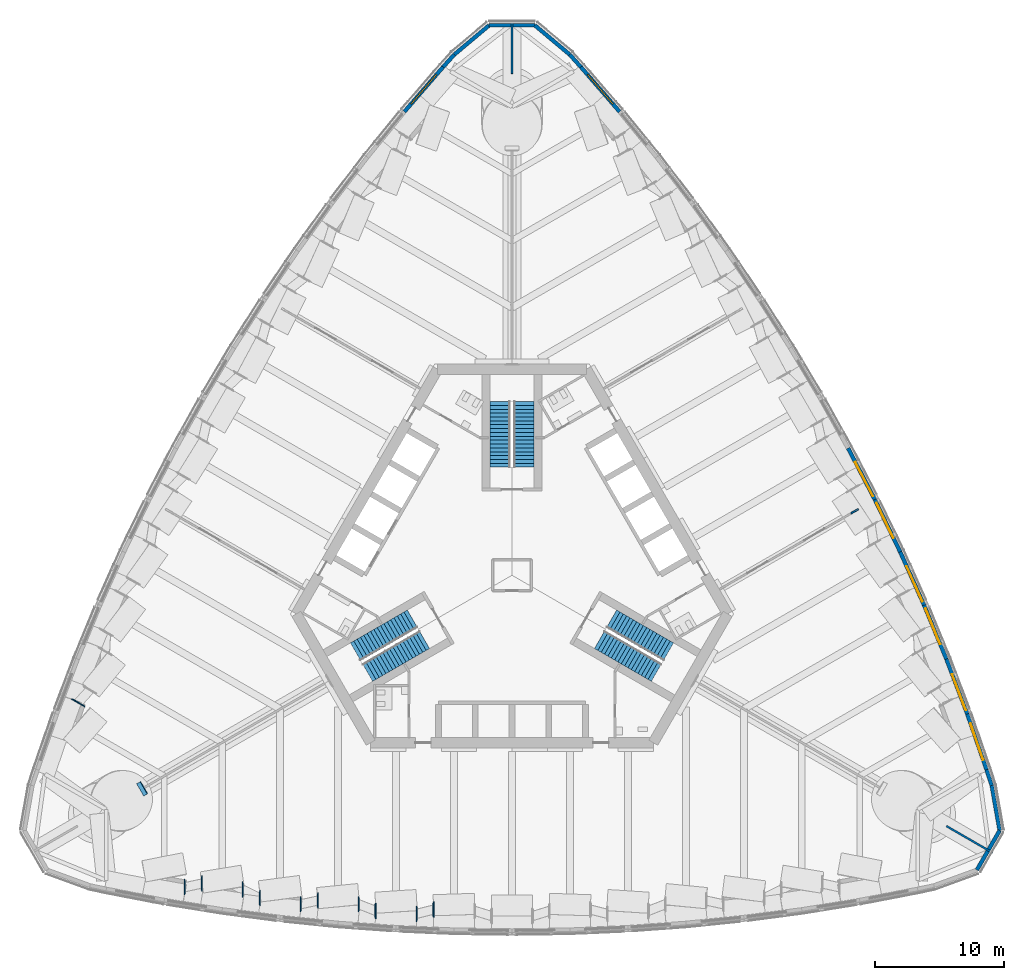
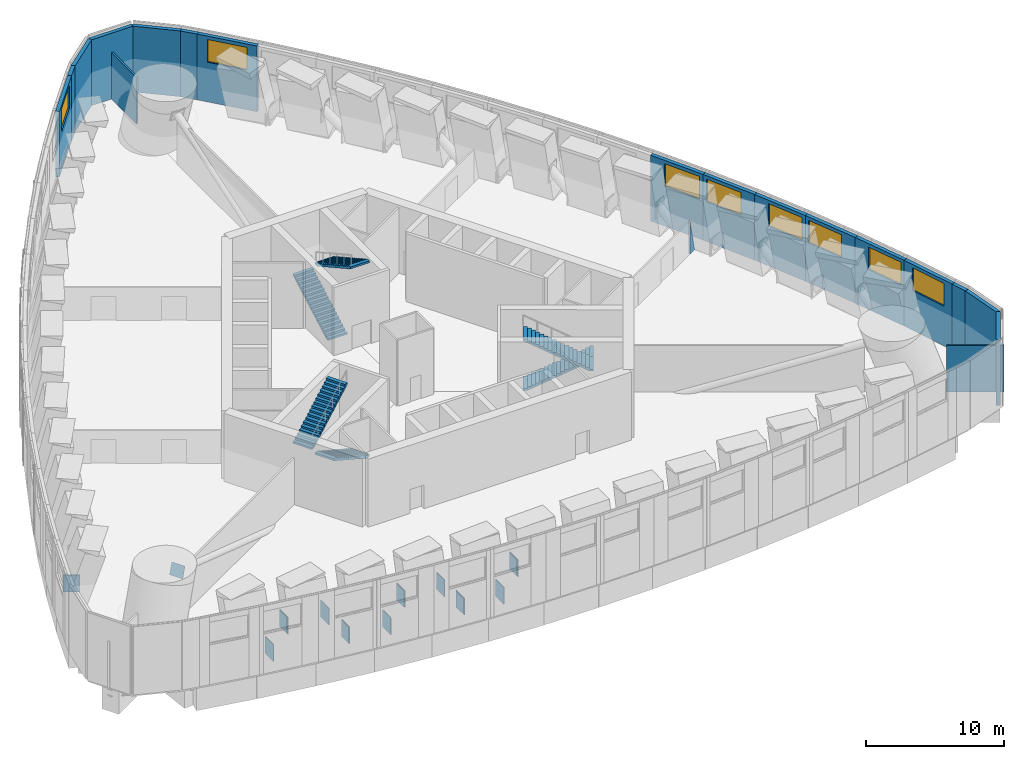
# One storey, part 11 of 28: 19 walls, 12 discrete accessories, 8 windows, 6 stair flights, 8 openings, 3 elements without a shape of their own.
"""IFC4 building model written with IfcOpenShell, lengths in metres."""

from ifc_helpers import new_model, si_unit, direction, frame, frame_2d, origin, origin_2d, place, context, subcontext, project, spatial, polyline, rectangle, outline, extrude, material, layer, layer_set, type_object, element, fill, aggregate, save


model = new_model("IFC4")

# Units and contexts
model_context = context("Model", 3, precision=1e-05, world=origin(), true_north=direction((0.0, 1.0)))
body_context = subcontext(model_context, "Body", "Model", "MODEL_VIEW")
ifc_project = project(units=[si_unit("LENGTHUNIT", "METRE"), si_unit("AREAUNIT", "SQUARE_METRE"), si_unit("VOLUMEUNIT", "CUBIC_METRE"), si_unit("PLANEANGLEUNIT", "RADIAN"), si_unit("MASSUNIT", "GRAM", prefix="KILO")], contexts=[model_context])

# Site, building, storey
site_placement = place(None, origin())
site = spatial("IfcSite", under=ifc_project, at=site_placement, CompositionType="ELEMENT")
building_placement = place(site_placement, origin())
building = spatial("IfcBuilding", under=site, at=building_placement, Name="Trefoil Bronze Tower", CompositionType="ELEMENT")
storey_placement = place(building_placement, frame((0.0, 0.0, 92.10009765625)))
storey = spatial("IfcBuildingStorey", under=building, at=storey_placement, Name="L21", CompositionType="ELEMENT", Elevation=92.10009765625)

# Walls
ifc_material_1 = material(Name="Concrete B80", Category="concrete")
ifc_layer_1 = layer(ifc_material_1, 0.300048828125)
ifc_layer_set_1 = layer_set([ifc_layer_1], Name="Belt wall 300")
wall_type_1 = type_object("IfcWallType", Name="Belt wall 300", PredefinedType="SOLIDWALL", material=ifc_layer_set_1)
for number, where, z_axis, x_axis, name in (
    (1, (36.09423828125, -22.885986328125, 0.0), (0.0, 0.0, 1.0), (0.499982733475, 0.866035372388, 0.0), "Belt wall T1.18"),
    (2, (37.866943359375, -19.8154296875, 0.0), (0.0, 0.0, 1.0), (-0.17365963216, 0.984805733207, 0.0), "Belt wall T1.19"),
):
    element("IfcWall", number, at=place(storey_placement, frame(where, z_axis=z_axis, x_axis=x_axis)), inside=storey, type_object=wall_type_1, Name=name, PredefinedType="SOLIDWALL", context=body_context, shape_type="SweptSolid", body=[
        extrude(rectangle(XDim=3.545654296875, YDim=0.300048828125, at=frame_2d((1.77294921875, 0.0))), origin(), (0.0, 0.0, 1.0), 5.7998046875),
    ])
wall_1_placement = place(storey_placement, frame((37.251220703125, -16.32373046875, 0.0), z_axis=(0.0, 0.0, 1.0), x_axis=(-0.309693449929, 0.950836456532, 0.0)))
element("IfcWall", 3, at=wall_1_placement, inside=storey, type_object=wall_type_1, Name="Belt wall T1.20", PredefinedType="SOLIDWALL", context=body_context, shape_type="SweptSolid", body=[
    extrude(rectangle(XDim=1.29052734375, YDim=0.300048828125, at=frame_2d((0.645263671875, 0.0))), origin(), (0.0, 0.0, 1.0), 5.7998046875),
])

# Wall, opening, window
wall_2_placement = place(storey_placement, frame((36.8515625, -15.0966796875, 0.0), z_axis=(0.0, 0.0, 1.0), x_axis=(-0.327681468309, 0.94478825952, 0.0)))
wall_2 = element("IfcWall", 4, at=wall_2_placement, inside=storey, type_object=wall_type_1, Name="Belt wall T1.21", PredefinedType="SOLIDWALL", context=body_context, shape_type="SweptSolid", body=[
    extrude(rectangle(XDim=4.58203125, YDim=0.300048828125, at=frame_2d((2.291015625, 0.0))), origin(), (0.0, 0.0, 1.0), 5.7998046875),
])
opening_1_placement = place(wall_2_placement, frame((0.791015625, 0.0, 3.5)))
opening_1 = element("IfcOpeningElement", 5, at=opening_1_placement, cuts=wall_2, Name="Opening LV1", PredefinedType="OPENING", context=body_context, shape_type="SweptSolid", body=[
    extrude(rectangle(XDim=3.0, YDim=2.0, at=frame_2d((1.5, 1.0))), frame((0.0, 0.159912109375, 0.0), z_axis=(0.0, -1.0, 0.0), x_axis=(1.0, 0.0, 0.0)), (0.0, 0.0, 1.0), 0.320068359375),
])
ifc_material_2 = material(Name="Bronze-finish aluminium louvre", Category="aluminium")
window_type = type_object("IfcWindowType", Name="Plant louvre 3000", PartitioningType="SINGLE_PANEL", PredefinedType="USERDEFINED", material=ifc_material_2)
window_1_placement = place(opening_1_placement, origin())
window_1 = element("IfcWindow", 6, at=window_1_placement, inside=storey, type_object=window_type, Name="Plant louvre L21 F2.2.1", ObjectType="LOUVRE", OverallHeight=2.0, OverallWidth=3.0, PartitioningType="SINGLE_PANEL", PredefinedType="USERDEFINED", context=body_context, shape_type="SweptSolid", body=[
    extrude(rectangle(XDim=3.0, YDim=2.0, at=frame_2d((1.5, 1.0))), frame((0.0, 0.030029296875, 0.0), z_axis=(0.0, -1.0, 0.0), x_axis=(1.0, 0.0, 0.0)), (0.0, 0.0, 1.0), 0.06005859375),
])
fill(opening_1, window_1)

wall_3_placement = place(storey_placement, frame((35.35009765625, -10.767578125, 0.0), z_axis=(0.0, 0.0, 1.0), x_axis=(-0.355351603025, 0.93473270951, 0.0)))
wall_3 = element("IfcWall", 7, at=wall_3_placement, inside=storey, type_object=wall_type_1, Name="Belt wall T1.22", PredefinedType="SOLIDWALL", context=body_context, shape_type="SweptSolid", body=[
    extrude(rectangle(XDim=4.55859375, YDim=0.300048828125, at=frame_2d((2.279296875, 0.0))), origin(), (0.0, 0.0, 1.0), 5.7998046875),
])
opening_2_placement = place(wall_3_placement, frame((0.300048828125, 0.0, 3.5)))
opening_2 = element("IfcOpeningElement", 8, at=opening_2_placement, cuts=wall_3, Name="Opening LV1", PredefinedType="OPENING", context=body_context, shape_type="SweptSolid", body=[
    extrude(rectangle(XDim=3.0, YDim=2.0, at=frame_2d((1.5, 1.0))), frame((0.0, 0.159912109375, 0.0), z_axis=(0.0, -1.0, 0.0), x_axis=(1.0, 0.0, 0.0)), (0.0, 0.0, 1.0), 0.320068359375),
])
window_2_placement = place(opening_2_placement, origin())
window_2 = element("IfcWindow", 9, at=window_2_placement, inside=storey, type_object=window_type, Name="Plant louvre L21 F2.3.1", ObjectType="LOUVRE", OverallHeight=2.0, OverallWidth=3.0, PartitioningType="SINGLE_PANEL", PredefinedType="USERDEFINED", context=body_context, shape_type="SweptSolid", body=[
    extrude(rectangle(XDim=3.0, YDim=2.0, at=frame_2d((1.5, 1.0))), frame((0.0, 0.030029296875, 0.0), z_axis=(0.0, -1.0, 0.0), x_axis=(1.0, 0.0, 0.0)), (0.0, 0.0, 1.0), 0.06005859375),
])
fill(opening_2, window_2)

wall_4_placement = place(storey_placement, frame((33.730224609375, -6.506591796875, 0.0), z_axis=(0.0, 0.0, 1.0), x_axis=(-0.38265900014, 0.923889652292, 0.0)))
wall_4 = element("IfcWall", 10, at=wall_4_placement, inside=storey, type_object=wall_type_1, Name="Belt wall T1.23", PredefinedType="SOLIDWALL", context=body_context, shape_type="SweptSolid", body=[
    extrude(rectangle(XDim=4.538818359375, YDim=0.300048828125, at=frame_2d((2.26953125, 0.0))), origin(), (0.0, 0.0, 1.0), 5.7998046875),
])
opening_3_placement = place(wall_4_placement, frame((1.23876953125, 0.0, 3.5)))
opening_3 = element("IfcOpeningElement", 11, at=opening_3_placement, cuts=wall_4, Name="Opening LV1", PredefinedType="OPENING", context=body_context, shape_type="SweptSolid", body=[
    extrude(rectangle(XDim=3.0, YDim=2.0, at=frame_2d((1.5, 1.0))), frame((0.0, 0.159912109375, 0.0), z_axis=(0.0, -1.0, 0.0), x_axis=(1.0, 0.0, 0.0)), (0.0, 0.0, 1.0), 0.320068359375),
])
window_3_placement = place(opening_3_placement, origin())
window_3 = element("IfcWindow", 12, at=window_3_placement, inside=storey, type_object=window_type, Name="Plant louvre L21 F2.4.1", ObjectType="LOUVRE", OverallHeight=2.0, OverallWidth=3.0, PartitioningType="SINGLE_PANEL", PredefinedType="USERDEFINED", context=body_context, shape_type="SweptSolid", body=[
    extrude(rectangle(XDim=3.0, YDim=2.0, at=frame_2d((1.5, 1.0))), frame((0.0, 0.030029296875, 0.0), z_axis=(0.0, -1.0, 0.0), x_axis=(1.0, 0.0, 0.0)), (0.0, 0.0, 1.0), 0.06005859375),
])
fill(opening_3, window_3)

wall_5_placement = place(storey_placement, frame((31.993408203125, -2.313232421875, 0.0), z_axis=(0.0, 0.0, 1.0), x_axis=(-0.409430894151, 0.912341132973, 0.0)))
wall_5 = element("IfcWall", 13, at=wall_5_placement, inside=storey, type_object=wall_type_1, Name="Belt wall T1.24", PredefinedType="SOLIDWALL", context=body_context, shape_type="SweptSolid", body=[
    extrude(rectangle(XDim=4.5234375, YDim=0.300048828125, at=frame_2d((2.26171875, 0.0))), origin(), (0.0, 0.0, 1.0), 5.7998046875),
])
opening_4_placement = place(wall_5_placement, frame((0.300048828125, 0.0, 3.5)))
opening_4 = element("IfcOpeningElement", 14, at=opening_4_placement, cuts=wall_5, Name="Opening LV1", PredefinedType="OPENING", context=body_context, shape_type="SweptSolid", body=[
    extrude(rectangle(XDim=3.0, YDim=2.0, at=frame_2d((1.5, 1.0))), frame((0.0, 0.159912109375, 0.0), z_axis=(0.0, -1.0, 0.0), x_axis=(1.0, 0.0, 0.0)), (0.0, 0.0, 1.0), 0.320068359375),
])
window_4_placement = place(opening_4_placement, origin())
window_4 = element("IfcWindow", 15, at=window_4_placement, inside=storey, type_object=window_type, Name="Plant louvre L21 F2.5.1", ObjectType="LOUVRE", OverallHeight=2.0, OverallWidth=3.0, PartitioningType="SINGLE_PANEL", PredefinedType="USERDEFINED", context=body_context, shape_type="SweptSolid", body=[
    extrude(rectangle(XDim=3.0, YDim=2.0, at=frame_2d((1.5, 1.0))), frame((0.0, 0.030029296875, 0.0), z_axis=(0.0, -1.0, 0.0), x_axis=(1.0, 0.0, 0.0)), (0.0, 0.0, 1.0), 0.06005859375),
])
fill(opening_4, window_4)

wall_6_placement = place(storey_placement, frame((30.141357421875, 1.813720703125, 0.0), z_axis=(0.0, 0.0, 1.0), x_axis=(-0.435857917556, 0.900015486369, 0.0)))
wall_6 = element("IfcWall", 16, at=wall_6_placement, inside=storey, type_object=wall_type_1, Name="Belt wall T1.25", PredefinedType="SOLIDWALL", context=body_context, shape_type="SweptSolid", body=[
    extrude(rectangle(XDim=4.511962890625, YDim=0.300048828125, at=frame_2d((2.255859375, 0.0))), origin(), (0.0, 0.0, 1.0), 5.7998046875),
])
opening_5_placement = place(wall_6_placement, frame((1.2119140625, 0.0, 3.5)))
opening_5 = element("IfcOpeningElement", 17, at=opening_5_placement, cuts=wall_6, Name="Opening LV1", PredefinedType="OPENING", context=body_context, shape_type="SweptSolid", body=[
    extrude(rectangle(XDim=3.0, YDim=2.0, at=frame_2d((1.5, 1.0))), frame((0.0, 0.159912109375, 0.0), z_axis=(0.0, -1.0, 0.0), x_axis=(1.0, 0.0, 0.0)), (0.0, 0.0, 1.0), 0.320068359375),
])
window_5_placement = place(opening_5_placement, origin())
window_5 = element("IfcWindow", 18, at=window_5_placement, inside=storey, type_object=window_type, Name="Plant louvre L21 F2.6.1", ObjectType="LOUVRE", OverallHeight=2.0, OverallWidth=3.0, PartitioningType="SINGLE_PANEL", PredefinedType="USERDEFINED", context=body_context, shape_type="SweptSolid", body=[
    extrude(rectangle(XDim=3.0, YDim=2.0, at=frame_2d((1.5, 1.0))), frame((0.0, 0.030029296875, 0.0), z_axis=(0.0, -1.0, 0.0), x_axis=(1.0, 0.0, 0.0)), (0.0, 0.0, 1.0), 0.06005859375),
])
fill(opening_5, window_5)

wall_7_placement = place(storey_placement, frame((28.1748046875, 5.87451171875, 0.0), z_axis=(0.0, 0.0, 1.0), x_axis=(-0.461810056307, 0.886978845235, 0.0)))
wall_7 = element("IfcWall", 19, at=wall_7_placement, inside=storey, type_object=wall_type_1, Name="Belt wall T1.26", PredefinedType="SOLIDWALL", context=body_context, shape_type="SweptSolid", body=[
    extrude(rectangle(XDim=4.504150390625, YDim=0.300048828125, at=frame_2d((2.251953125, 0.0))), origin(), (0.0, 0.0, 1.0), 5.7998046875),
])
opening_6_placement = place(wall_7_placement, frame((0.300048828125, 0.0, 3.5)))
opening_6 = element("IfcOpeningElement", 20, at=opening_6_placement, cuts=wall_7, Name="Opening LV1", PredefinedType="OPENING", context=body_context, shape_type="SweptSolid", body=[
    extrude(rectangle(XDim=3.0, YDim=2.0, at=frame_2d((1.5, 1.0))), frame((0.0, 0.159912109375, 0.0), z_axis=(0.0, -1.0, 0.0), x_axis=(1.0, 0.0, 0.0)), (0.0, 0.0, 1.0), 0.320068359375),
])
window_6_placement = place(opening_6_placement, origin())
window_6 = element("IfcWindow", 21, at=window_6_placement, inside=storey, type_object=window_type, Name="Plant louvre L21 F2.7.1", ObjectType="LOUVRE", OverallHeight=2.0, OverallWidth=3.0, PartitioningType="SINGLE_PANEL", PredefinedType="USERDEFINED", context=body_context, shape_type="SweptSolid", body=[
    extrude(rectangle(XDim=3.0, YDim=2.0, at=frame_2d((1.5, 1.0))), frame((0.0, 0.030029296875, 0.0), z_axis=(0.0, -1.0, 0.0), x_axis=(1.0, 0.0, 0.0)), (0.0, 0.0, 1.0), 0.06005859375),
])
fill(opening_6, window_6)

wall_8_placement = place(storey_placement, frame((8.35009765625, 35.997802734375, 0.0), z_axis=(0.0, 0.0, 1.0), x_axis=(-0.654364441553, 0.756179329016, 0.0)))
wall_8 = element("IfcWall", 22, at=wall_8_placement, inside=storey, type_object=wall_type_1, Name="Belt wall T1.34", PredefinedType="SOLIDWALL", context=body_context, shape_type="SweptSolid", body=[
    extrude(rectangle(XDim=4.582275390625, YDim=0.300048828125, at=frame_2d((2.291015625, 0.0))), origin(), (0.0, 0.0, 1.0), 5.7998046875),
])
opening_7_placement = place(wall_8_placement, frame((0.791015625, 0.0, 3.5)))
opening_7 = element("IfcOpeningElement", 23, at=opening_7_placement, cuts=wall_8, Name="Opening LV1", PredefinedType="OPENING", context=body_context, shape_type="SweptSolid", body=[
    extrude(rectangle(XDim=3.0, YDim=2.0, at=frame_2d((1.5, 1.0))), frame((0.0, 0.159912109375, 0.0), z_axis=(0.0, -1.0, 0.0), x_axis=(1.0, 0.0, 0.0)), (0.0, 0.0, 1.0), 0.320068359375),
])
window_7_placement = place(opening_7_placement, origin())
window_7 = element("IfcWindow", 24, at=window_7_placement, inside=storey, type_object=window_type, Name="Plant louvre L21 F2.15.1", ObjectType="LOUVRE", OverallHeight=2.0, OverallWidth=3.0, PartitioningType="SINGLE_PANEL", PredefinedType="USERDEFINED", context=body_context, shape_type="SweptSolid", body=[
    extrude(rectangle(XDim=3.0, YDim=2.0, at=frame_2d((1.5, 1.0))), frame((0.0, 0.030029296875, 0.0), z_axis=(0.0, -1.0, 0.0), x_axis=(1.0, 0.0, 0.0)), (0.0, 0.0, 1.0), 0.06005859375),
])
fill(opening_7, window_7)

# Walls
wall_9_placement = place(storey_placement, frame((5.3515625, 39.462890625, 0.0), z_axis=(0.0, 0.0, 1.0), x_axis=(-0.668546439873, 0.743670395896, 0.0)))
element("IfcWall", 25, at=wall_9_placement, inside=storey, type_object=wall_type_1, Name="Belt wall T1.35", PredefinedType="SOLIDWALL", context=body_context, shape_type="SweptSolid", body=[
    extrude(rectangle(XDim=1.290283203125, YDim=0.300048828125, at=frame_2d((0.64501953125, 0.0))), origin(), (0.0, 0.0, 1.0), 5.7998046875),
])
wall_10_placement = place(storey_placement, frame((4.489013671875, 40.42236328125, 0.0), z_axis=(0.0, 0.0, 1.0), x_axis=(-0.766072328399, 0.64275437584, 0.0)))
element("IfcWall", 26, at=wall_10_placement, inside=storey, type_object=wall_type_1, Name="Belt wall T1.36", PredefinedType="SOLIDWALL", context=body_context, shape_type="SweptSolid", body=[
    extrude(rectangle(XDim=3.545654296875, YDim=0.300048828125, at=frame_2d((1.77294921875, 0.0))), origin(), (0.0, 0.0, 1.0), 5.7998046875),
])
wall_11_placement = place(storey_placement, frame((1.772705078125, 42.701416015625, 0.0), z_axis=(0.0, 0.0, 1.0), x_axis=(-1.0, 0.0, 0.0)))
element("IfcWall", 27, at=wall_11_placement, inside=storey, type_object=wall_type_1, Name="Belt wall T1.37", PredefinedType="SOLIDWALL", context=body_context, shape_type="SweptSolid", body=[
    extrude(rectangle(XDim=3.54541015625, YDim=0.300048828125, at=frame_2d((1.772705078125, 0.0))), origin(), (0.0, 0.0, 1.0), 5.7998046875),
])
wall_12_placement = place(storey_placement, frame((-1.772705078125, 42.701416015625, 0.0), z_axis=(0.0, 0.0, 1.0), x_axis=(-0.766072328399, -0.64275437584, 0.0)))
element("IfcWall", 28, at=wall_12_placement, inside=storey, type_object=wall_type_1, Name="Belt wall T1.38", PredefinedType="SOLIDWALL", context=body_context, shape_type="SweptSolid", body=[
    extrude(rectangle(XDim=3.545654296875, YDim=0.300048828125, at=frame_2d((1.77294921875, 0.0))), origin(), (0.0, 0.0, 1.0), 5.7998046875),
])
wall_13_placement = place(storey_placement, frame((-4.489013671875, 40.42236328125, 0.0), z_axis=(0.0, 0.0, 1.0), x_axis=(-0.668546439873, -0.743670395896, 0.0)))
element("IfcWall", 29, at=wall_13_placement, inside=storey, type_object=wall_type_1, Name="Belt wall T1.39", PredefinedType="SOLIDWALL", context=body_context, shape_type="SweptSolid", body=[
    extrude(rectangle(XDim=1.290283203125, YDim=0.300048828125, at=frame_2d((0.64501953125, 0.0))), origin(), (0.0, 0.0, 1.0), 5.7998046875),
])

# Wall, opening, window
wall_14_placement = place(storey_placement, frame((-5.3515625, 39.462890625, 0.0), z_axis=(0.0, 0.0, 1.0), x_axis=(-0.654364441553, -0.756179329016, 0.0)))
wall_14 = element("IfcWall", 30, at=wall_14_placement, inside=storey, type_object=wall_type_1, Name="Belt wall T1.40", PredefinedType="SOLIDWALL", context=body_context, shape_type="SweptSolid", body=[
    extrude(rectangle(XDim=4.582275390625, YDim=0.300048828125, at=frame_2d((2.291015625, 0.0))), origin(), (0.0, 0.0, 1.0), 5.7998046875),
])
opening_8_placement = place(wall_14_placement, frame((0.791015625, 0.0, 3.5)))
opening_8 = element("IfcOpeningElement", 31, at=opening_8_placement, cuts=wall_14, Name="Opening LV1", PredefinedType="OPENING", context=body_context, shape_type="SweptSolid", body=[
    extrude(rectangle(XDim=3.0, YDim=2.0, at=frame_2d((1.5, 1.0))), frame((0.0, 0.159912109375, 0.0), z_axis=(0.0, -1.0, 0.0), x_axis=(1.0, 0.0, 0.0)), (0.0, 0.0, 1.0), 0.320068359375),
])
window_8_placement = place(opening_8_placement, origin())
window_8 = element("IfcWindow", 32, at=window_8_placement, inside=storey, type_object=window_type, Name="Plant louvre L21 F3.2.1", ObjectType="LOUVRE", OverallHeight=2.0, OverallWidth=3.0, PartitioningType="SINGLE_PANEL", PredefinedType="USERDEFINED", context=body_context, shape_type="SweptSolid", body=[
    extrude(rectangle(XDim=3.0, YDim=2.0, at=frame_2d((1.5, 1.0))), frame((0.0, 0.030029296875, 0.0), z_axis=(0.0, -1.0, 0.0), x_axis=(1.0, 0.0, 0.0)), (0.0, 0.0, 1.0), 0.06005859375),
])
fill(opening_8, window_8)

# Walls
ifc_material_3 = material(Name="Glazed partition", Category="glass")
ifc_layer_2 = layer(ifc_material_3, 0.1201171875)
ifc_layer_set_2 = layer_set([ifc_layer_2], Name="Glazed partition 120")
wall_type_2 = type_object("IfcWallType", Name="Glazed partition 120", PredefinedType="PARTITIONING", material=ifc_layer_set_2)
wall_15_placement = place(storey_placement, frame((26.31640625, 4.801513671875, 0.0), z_axis=(0.0, 0.0, 1.0), x_axis=(0.866073599808, 0.499916512745, 0.0)))
element("IfcWall", 33, at=wall_15_placement, inside=storey, type_object=wall_type_2, Name="Partition F2 L21", PredefinedType="PARTITIONING", context=body_context, shape_type="SweptSolid", body=[
    extrude(outline(polyline([(0.0, 0.0), (0.6533203125, 0.0), (0.6533203125, 0.0498046875), (0.0, 2.89990234375), (0.0, 0.0)])), frame((0.0, 0.06005859375, 0.0), z_axis=(0.0, -1.0, 0.0), x_axis=(1.0, 0.0, 0.0)), (0.0, 0.0, 1.0), 0.1201171875),
])
ifc_material_4 = material(Name="Gypsum board on steel studs", Category="steel")
ifc_layer_3 = layer(ifc_material_4, 0.14990234375)
ifc_layer_set_3 = layer_set([ifc_layer_3], Name="Party wall 150")
wall_type_3 = type_object("IfcWallType", Name="Party wall 150", PredefinedType="PARTITIONING", material=ifc_layer_set_3)
for number, where, z_axis, x_axis, name in (
    (34, (33.731689453125, -19.47509765625, 0.0), (0.0, 0.0, 1.0), (0.866026440262, -0.499998204763, 0.0), "Party wall K1 L21"),
    (35, (0.0, 38.949951171875, 0.0), (0.0, 0.0, 1.0), (0.0, 1.0, 0.0), "Party wall K2 L21"),
):
    element("IfcWall", number, at=place(storey_placement, frame(where, z_axis=z_axis, x_axis=x_axis)), inside=storey, type_object=wall_type_3, Name=name, PredefinedType="PARTITIONING", context=body_context, shape_type="SweptSolid", body=[
        extrude(rectangle(XDim=4.1640625, YDim=0.14990234375, at=frame_2d((2.08203125, 0.0))), origin(), (0.0, 0.0, 1.0), 4.099853515625),
    ])

# Stair, stair flights
ifc_material_5 = material(Name="Precast concrete B80", Category="concrete")
stair_type = type_object("IfcStairType", Name="Exit stair 36 risers", PredefinedType="HALF_TURN_STAIR", material=ifc_material_5)
stair_1_placement = place(storey_placement, origin())
stair_1 = element("IfcStair", 36, at=stair_1_placement, inside=storey, type_object=stair_type, Name="Stair ST1 L21", PredefinedType="HALF_TURN_STAIR")
ifc_material_6 = material(Name="Precast concrete B80", Category="concrete")
stair_flight_type = type_object("IfcStairFlightType", Name="Stair flight 1600", PredefinedType="STRAIGHT", material=ifc_material_6)
stair_flight_1_placement = place(storey_placement, frame((7.728515625, -3.39404296875, 0.0), z_axis=(0.0, 0.0, 1.0), x_axis=(0.866025403784, -0.5, 0.0)))
stair_flight_1 = element("IfcStairFlight", 37, at=stair_flight_1_placement, type_object=stair_flight_type, Name="ST1 flight 1", NumberOfRisers=18, NumberOfTreads=17, PredefinedType="STRAIGHT", RiserHeight=0.166666667, TreadLength=0.3, context=body_context, shape_type="SweptSolid", body=[
    extrude(outline(polyline([(0.0, 0.0), (0.0, 0.166748046875), (0.300048828125, 0.166748046875), (0.300048828125, 0.333251953125), (0.60009765625, 0.333251953125), (0.60009765625, 0.5), (0.89990234375, 0.5), (0.89990234375, 0.666748046875), (1.199951171875, 0.666748046875), (1.199951171875, 0.833251953125), (1.5, 0.833251953125), (1.5, 1.0), (1.800048828125, 1.0), (1.800048828125, 1.166748046875), (2.10009765625, 1.166748046875), (2.10009765625, 1.333251953125), (2.39990234375, 1.333251953125), (2.39990234375, 1.5), (2.699951171875, 1.5), (2.699951171875, 1.666748046875), (3.0, 1.666748046875), (3.0, 1.833251953125), (3.300048828125, 1.833251953125), (3.300048828125, 2.0), (3.60009765625, 2.0), (3.60009765625, 2.166748046875), (3.89990234375, 2.166748046875), (3.89990234375, 2.333251953125), (4.199951171875, 2.333251953125), (4.199951171875, 2.5), (4.5, 2.5), (4.5, 2.666748046875), (4.800048828125, 2.666748046875), (4.800048828125, 2.833251953125), (5.10009765625, 2.833251953125), (5.10009765625, 3.0), (5.10009765625, 2.661865234375), (0.30859375, 0.0), (0.0, 0.0)])), frame((0.0, 0.800048828125, 0.0), z_axis=(0.0, -1.0, 0.0), x_axis=(1.0, 0.0, 0.0)), (0.0, 0.0, 1.0), 1.60009765625),
])
stair_flight_2_placement = place(storey_placement, frame((11.22021484375, -7.546142578125, 3.0), z_axis=(0.0, 0.0, 1.0), x_axis=(-0.866025403784, 0.5, 0.0)))
stair_flight_2 = element("IfcStairFlight", 38, at=stair_flight_2_placement, type_object=stair_flight_type, Name="ST1 flight 2", NumberOfRisers=18, NumberOfTreads=17, PredefinedType="STRAIGHT", RiserHeight=0.166666667, TreadLength=0.3, context=body_context, shape_type="SweptSolid", body=[
    extrude(outline(polyline([(0.0, 0.0), (0.0, 0.166748046875), (0.300048828125, 0.166748046875), (0.300048828125, 0.333251953125), (0.60009765625, 0.333251953125), (0.60009765625, 0.5), (0.89990234375, 0.5), (0.89990234375, 0.666748046875), (1.199951171875, 0.666748046875), (1.199951171875, 0.833251953125), (1.5, 0.833251953125), (1.5, 1.0), (1.800048828125, 1.0), (1.800048828125, 1.166748046875), (2.10009765625, 1.166748046875), (2.10009765625, 1.333251953125), (2.39990234375, 1.333251953125), (2.39990234375, 1.5), (2.699951171875, 1.5), (2.699951171875, 1.666748046875), (3.0, 1.666748046875), (3.0, 1.833251953125), (3.300048828125, 1.833251953125), (3.300048828125, 2.0), (3.60009765625, 2.0), (3.60009765625, 2.166748046875), (3.89990234375, 2.166748046875), (3.89990234375, 2.333251953125), (4.199951171875, 2.333251953125), (4.199951171875, 2.5), (4.5, 2.5), (4.5, 2.666748046875), (4.800048828125, 2.666748046875), (4.800048828125, 2.833251953125), (5.10009765625, 2.833251953125), (5.10009765625, 3.0), (5.10009765625, 2.661865234375), (0.30859375, 0.0), (0.0, 0.0)])), frame((0.0, 0.800048828125, 0.0), z_axis=(0.0, -1.0, 0.0), x_axis=(1.0, 0.0, 0.0)), (0.0, 0.0, 1.0), 1.60009765625),
])
aggregate(stair_1, [stair_flight_1, stair_flight_2])

stair_2_placement = place(storey_placement, origin())
stair_2 = element("IfcStair", 39, at=stair_2_placement, inside=storey, type_object=stair_type, Name="Stair ST2 L21", PredefinedType="HALF_TURN_STAIR")
stair_flight_3_placement = place(storey_placement, frame((-0.925048828125, 8.389892578125, 0.0), z_axis=(0.0, 0.0, 1.0), x_axis=(0.0, 1.0, 0.0)))
stair_flight_3 = element("IfcStairFlight", 40, at=stair_flight_3_placement, type_object=stair_flight_type, Name="ST2 flight 1", NumberOfRisers=18, NumberOfTreads=17, PredefinedType="STRAIGHT", RiserHeight=0.166666667, TreadLength=0.3, context=body_context, shape_type="SweptSolid", body=[
    extrude(outline(polyline([(0.0, 0.0), (0.0, 0.166748046875), (0.300048828125, 0.166748046875), (0.300048828125, 0.333251953125), (0.60009765625, 0.333251953125), (0.60009765625, 0.5), (0.89990234375, 0.5), (0.89990234375, 0.666748046875), (1.199951171875, 0.666748046875), (1.199951171875, 0.833251953125), (1.5, 0.833251953125), (1.5, 1.0), (1.800048828125, 1.0), (1.800048828125, 1.166748046875), (2.10009765625, 1.166748046875), (2.10009765625, 1.333251953125), (2.39990234375, 1.333251953125), (2.39990234375, 1.5), (2.699951171875, 1.5), (2.699951171875, 1.666748046875), (3.0, 1.666748046875), (3.0, 1.833251953125), (3.300048828125, 1.833251953125), (3.300048828125, 2.0), (3.60009765625, 2.0), (3.60009765625, 2.166748046875), (3.89990234375, 2.166748046875), (3.89990234375, 2.333251953125), (4.199951171875, 2.333251953125), (4.199951171875, 2.5), (4.5, 2.5), (4.5, 2.666748046875), (4.800048828125, 2.666748046875), (4.800048828125, 2.833251953125), (5.10009765625, 2.833251953125), (5.10009765625, 3.0), (5.10009765625, 2.661865234375), (0.30859375, 0.0), (0.0, 0.0)])), frame((0.0, 0.800048828125, 0.0), z_axis=(0.0, -1.0, 0.0), x_axis=(1.0, 0.0, 0.0)), (0.0, 0.0, 1.0), 1.60009765625),
])
stair_flight_4_placement = place(storey_placement, frame((0.925048828125, 13.489990234375, 3.0), z_axis=(0.0, 0.0, 1.0), x_axis=(0.0, -1.0, 0.0)))
stair_flight_4 = element("IfcStairFlight", 41, at=stair_flight_4_placement, type_object=stair_flight_type, Name="ST2 flight 2", NumberOfRisers=18, NumberOfTreads=17, PredefinedType="STRAIGHT", RiserHeight=0.166666667, TreadLength=0.3, context=body_context, shape_type="SweptSolid", body=[
    extrude(outline(polyline([(0.0, 0.0), (0.0, 0.166748046875), (0.300048828125, 0.166748046875), (0.300048828125, 0.333251953125), (0.60009765625, 0.333251953125), (0.60009765625, 0.5), (0.89990234375, 0.5), (0.89990234375, 0.666748046875), (1.199951171875, 0.666748046875), (1.199951171875, 0.833251953125), (1.5, 0.833251953125), (1.5, 1.0), (1.800048828125, 1.0), (1.800048828125, 1.166748046875), (2.10009765625, 1.166748046875), (2.10009765625, 1.333251953125), (2.39990234375, 1.333251953125), (2.39990234375, 1.5), (2.699951171875, 1.5), (2.699951171875, 1.666748046875), (3.0, 1.666748046875), (3.0, 1.833251953125), (3.300048828125, 1.833251953125), (3.300048828125, 2.0), (3.60009765625, 2.0), (3.60009765625, 2.166748046875), (3.89990234375, 2.166748046875), (3.89990234375, 2.333251953125), (4.199951171875, 2.333251953125), (4.199951171875, 2.5), (4.5, 2.5), (4.5, 2.666748046875), (4.800048828125, 2.666748046875), (4.800048828125, 2.833251953125), (5.10009765625, 2.833251953125), (5.10009765625, 3.0), (5.10009765625, 2.661865234375), (0.30859375, 0.0), (0.0, 0.0)])), frame((0.0, 0.800048828125, 0.0), z_axis=(0.0, -1.0, 0.0), x_axis=(1.0, 0.0, 0.0)), (0.0, 0.0, 1.0), 1.60009765625),
])
aggregate(stair_2, [stair_flight_3, stair_flight_4])

stair_3_placement = place(storey_placement, origin())
stair_3 = element("IfcStair", 42, at=stair_3_placement, inside=storey, type_object=stair_type, Name="Stair ST3 L21", PredefinedType="HALF_TURN_STAIR")
stair_flight_5_placement = place(storey_placement, frame((-6.803466796875, -4.99609375, 0.0), z_axis=(0.0, 0.0, 1.0), x_axis=(-0.866025403784, -0.5, 0.0)))
stair_flight_5 = element("IfcStairFlight", 43, at=stair_flight_5_placement, type_object=stair_flight_type, Name="ST3 flight 1", NumberOfRisers=18, NumberOfTreads=17, PredefinedType="STRAIGHT", RiserHeight=0.166666667, TreadLength=0.3, context=body_context, shape_type="SweptSolid", body=[
    extrude(outline(polyline([(0.0, 0.0), (0.0, 0.166748046875), (0.300048828125, 0.166748046875), (0.300048828125, 0.333251953125), (0.60009765625, 0.333251953125), (0.60009765625, 0.5), (0.89990234375, 0.5), (0.89990234375, 0.666748046875), (1.199951171875, 0.666748046875), (1.199951171875, 0.833251953125), (1.5, 0.833251953125), (1.5, 1.0), (1.800048828125, 1.0), (1.800048828125, 1.166748046875), (2.10009765625, 1.166748046875), (2.10009765625, 1.333251953125), (2.39990234375, 1.333251953125), (2.39990234375, 1.5), (2.699951171875, 1.5), (2.699951171875, 1.666748046875), (3.0, 1.666748046875), (3.0, 1.833251953125), (3.300048828125, 1.833251953125), (3.300048828125, 2.0), (3.60009765625, 2.0), (3.60009765625, 2.166748046875), (3.89990234375, 2.166748046875), (3.89990234375, 2.333251953125), (4.199951171875, 2.333251953125), (4.199951171875, 2.5), (4.5, 2.5), (4.5, 2.666748046875), (4.800048828125, 2.666748046875), (4.800048828125, 2.833251953125), (5.10009765625, 2.833251953125), (5.10009765625, 3.0), (5.10009765625, 2.661865234375), (0.30859375, 0.0), (0.0, 0.0)])), frame((0.0, 0.800048828125, 0.0), z_axis=(0.0, -1.0, 0.0), x_axis=(1.0, 0.0, 0.0)), (0.0, 0.0, 1.0), 1.60009765625),
])
stair_flight_6_placement = place(storey_placement, frame((-12.145263671875, -5.94384765625, 3.0), z_axis=(0.0, 0.0, 1.0), x_axis=(0.866025403784, 0.5, 0.0)))
stair_flight_6 = element("IfcStairFlight", 44, at=stair_flight_6_placement, type_object=stair_flight_type, Name="ST3 flight 2", NumberOfRisers=18, NumberOfTreads=17, PredefinedType="STRAIGHT", RiserHeight=0.166666667, TreadLength=0.3, context=body_context, shape_type="SweptSolid", body=[
    extrude(outline(polyline([(0.0, 0.0), (0.0, 0.166748046875), (0.300048828125, 0.166748046875), (0.300048828125, 0.333251953125), (0.60009765625, 0.333251953125), (0.60009765625, 0.5), (0.89990234375, 0.5), (0.89990234375, 0.666748046875), (1.199951171875, 0.666748046875), (1.199951171875, 0.833251953125), (1.5, 0.833251953125), (1.5, 1.0), (1.800048828125, 1.0), (1.800048828125, 1.166748046875), (2.10009765625, 1.166748046875), (2.10009765625, 1.333251953125), (2.39990234375, 1.333251953125), (2.39990234375, 1.5), (2.699951171875, 1.5), (2.699951171875, 1.666748046875), (3.0, 1.666748046875), (3.0, 1.833251953125), (3.300048828125, 1.833251953125), (3.300048828125, 2.0), (3.60009765625, 2.0), (3.60009765625, 2.166748046875), (3.89990234375, 2.166748046875), (3.89990234375, 2.333251953125), (4.199951171875, 2.333251953125), (4.199951171875, 2.5), (4.5, 2.5), (4.5, 2.666748046875), (4.800048828125, 2.666748046875), (4.800048828125, 2.833251953125), (5.10009765625, 2.833251953125), (5.10009765625, 3.0), (5.10009765625, 2.661865234375), (0.30859375, 0.0), (0.0, 0.0)])), frame((0.0, 0.800048828125, 0.0), z_axis=(0.0, -1.0, 0.0), x_axis=(1.0, 0.0, 0.0)), (0.0, 0.0, 1.0), 1.60009765625),
])
aggregate(stair_3, [stair_flight_5, stair_flight_6])

# Discrete accessories
ifc_material_7 = material(Name="Steel C355", Category="steel")
discrete_accessory_type = type_object("IfcDiscreteAccessoryType", Name="End plate and cast-in plate of a brace connection", PredefinedType="USERDEFINED", material=ifc_material_7)
for number, where, z_axis, x_axis, name in (
    (45, (-25.39990234375, -24.22119140625, 0.901123046875), (0.0, 0.0, 1.0), (1.0, 0.0, 0.0), "Belt truss diagonal F1.1 L21 end plate and cast-in plate, lower end"),
    (46, (-24.10009765625, -23.939453125, 2.648681640625), (0.0, 0.0, 1.0), (-1.0, 0.0, 0.0), "Belt truss diagonal F1.1 L21 end plate and cast-in plate, upper end"),
    (47, (-19.60009765625, -25.076416015625, 0.901123046875), (0.0, 0.0, 1.0), (-1.0, 0.0, 0.0), "Belt truss diagonal F1.2 L21 end plate and cast-in plate, lower end"),
    (48, (-20.89990234375, -24.411376953125, 2.648681640625), (0.0, 0.0, 1.0), (1.0, 0.0, 0.0), "Belt truss diagonal F1.2 L21 end plate and cast-in plate, upper end"),
    (49, (-16.39990234375, -25.5458984375, 0.901123046875), (0.0, 0.0, 1.0), (1.0, 0.0, 0.0), "Belt truss diagonal F1.3 L21 end plate and cast-in plate, lower end"),
    (50, (-15.10009765625, -25.26220703125, 2.648681640625), (0.0, 0.0, 1.0), (-1.0, 0.0, 0.0), "Belt truss diagonal F1.3 L21 end plate and cast-in plate, upper end"),
    (51, (-10.60009765625, -26.0556640625, 0.901123046875), (0.0, 0.0, 1.0), (-1.0, 0.0, 0.0), "Belt truss diagonal F1.4 L21 end plate and cast-in plate, lower end"),
    (52, (-11.89990234375, -25.54345703125, 2.648681640625), (0.0, 0.0, 1.0), (1.0, 0.0, 0.0), "Belt truss diagonal F1.4 L21 end plate and cast-in plate, upper end"),
    (53, (-7.39990234375, -26.28857421875, 0.901123046875), (0.0, 0.0, 1.0), (1.0, 0.0, 0.0), "Belt truss diagonal F1.5 L21 end plate and cast-in plate, lower end"),
    (54, (-6.10009765625, -25.965576171875, 2.648681640625), (0.0, 0.0, 1.0), (-1.0, 0.0, 0.0), "Belt truss diagonal F1.5 L21 end plate and cast-in plate, upper end"),
):
    element("IfcDiscreteAccessory", number, at=place(storey_placement, frame(where, z_axis=z_axis, x_axis=x_axis)), inside=storey, type_object=discrete_accessory_type, Name=name, ObjectType="END PLATE AND CAST-IN PLATE", PredefinedType="USERDEFINED", context=body_context, shape_type="SweptSolid", body=[
        extrude(rectangle(XDim=0.0400390625, YDim=1.031005859375, at=origin_2d()), frame((0.02001953125, 0.0, -0.699951171875)), (0.0, 0.0, 1.0), 1.39990234375),
        extrude(rectangle(XDim=0.050048828125, YDim=1.199951171875, at=origin_2d()), frame((-0.025146484375, 0.0, -0.75)), (0.0, 0.0, 1.0), 1.5),
    ])
discrete_accessory_1_placement = place(storey_placement, frame((-33.676025390625, -9.886474609375, 0.901123046875), z_axis=(0.0, 0.0, 1.0), x_axis=(0.499999999907, 0.866025403838, 0.0)))
element("IfcDiscreteAccessory", 55, at=discrete_accessory_1_placement, inside=storey, type_object=discrete_accessory_type, Name="Belt truss diagonal F3.12 L21 end plate and cast-in plate, lower end", ObjectType="END PLATE AND CAST-IN PLATE", PredefinedType="USERDEFINED", context=body_context, shape_type="SweptSolid", body=[
    extrude(rectangle(XDim=0.0400390625, YDim=1.031005859375, at=origin_2d()), frame((0.019775390625, 0.000244140625, -0.699951171875)), (0.0, 0.0, 1.0), 1.39990234375),
    extrude(rectangle(XDim=0.050048828125, YDim=1.199951171875, at=origin_2d()), frame((-0.025146484375, 0.000244140625, -0.75)), (0.0, 0.0, 1.0), 1.5),
])
discrete_accessory_2_placement = place(storey_placement, frame((-28.694091796875, -16.56640625, 4.32763671875), z_axis=(0.273861278995, 0.158113882997, 0.948683297982), x_axis=(0.821583836145, 0.474341649084, -0.316227766221)))
element("IfcDiscreteAccessory", 56, at=discrete_accessory_2_placement, inside=storey, type_object=discrete_accessory_type, Name="Outrigger brace K3 L21 end plate and cast-in plate, mega column end", ObjectType="END PLATE AND CAST-IN PLATE", PredefinedType="USERDEFINED", context=body_context, shape_type="SweptSolid", body=[
    extrude(rectangle(XDim=0.0400390625, YDim=0.929931640625, at=origin_2d()), frame((0.019775390625, -0.000244140625, -0.425048828125)), (0.0, 0.0, 1.0), 0.85009765625),
    extrude(rectangle(XDim=0.050048828125, YDim=1.10009765625, at=origin_2d()), frame((-0.02490234375, 0.0, -0.5)), (0.0, 0.0, 1.0), 1.0),
])

save(model, "model.ifc")
